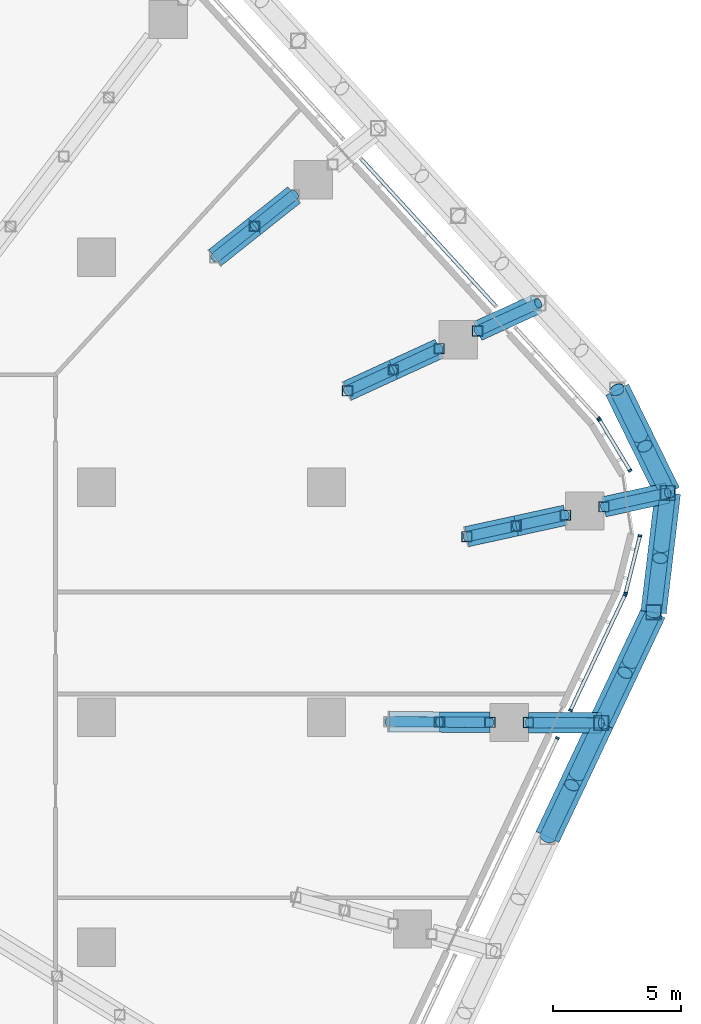
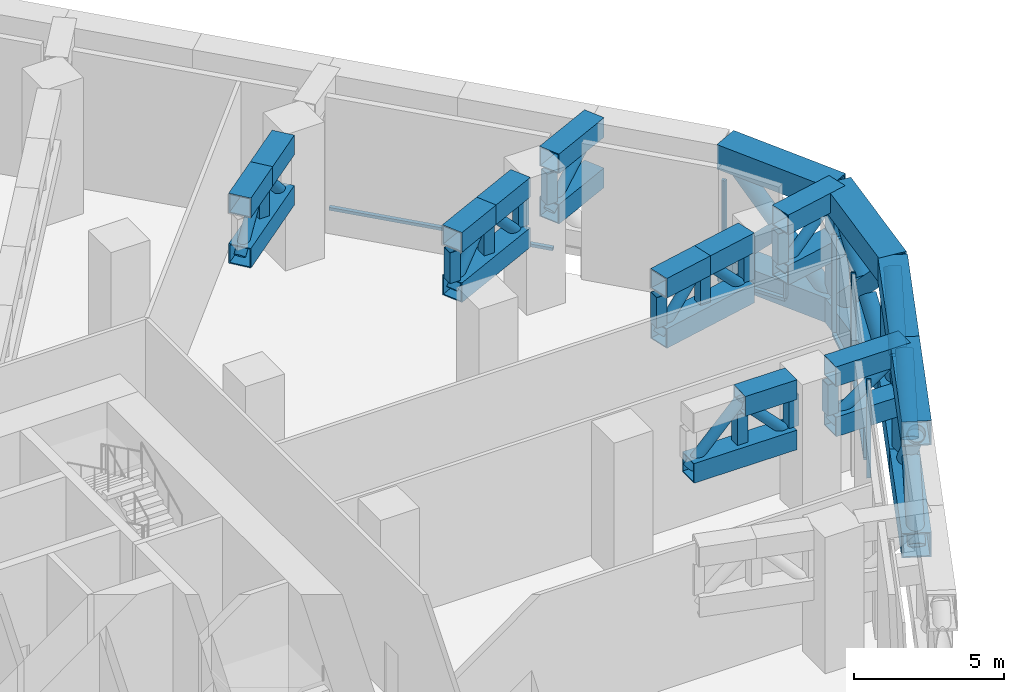
# One storey, part 11 of 38: 75 members, 3 elements without a shape of their own.
"""IFC4 building model written with IfcOpenShell, lengths in metres."""

from ifc_helpers import new_model, si_unit, direction, frame, origin, origin_2d, place, context, subcontext, project, spatial, rectangle, hollow_rectangle, hollow_circle, extrude, material, layer, layer_set, material_profile, profile_set, type_object, element, aggregate, save


model = new_model("IFC4")

# Units and contexts
model_context = context("Model", 3, precision=1e-05, world=origin(), true_north=direction((0.0, 1.0)))
body_context = subcontext(model_context, "Body", "Model", "MODEL_VIEW")
ifc_project = project(units=[si_unit("LENGTHUNIT", "METRE"), si_unit("AREAUNIT", "SQUARE_METRE"), si_unit("VOLUMEUNIT", "CUBIC_METRE"), si_unit("PLANEANGLEUNIT", "RADIAN"), si_unit("MASSUNIT", "GRAM", prefix="KILO")], contexts=[model_context])

# Site, building, storey
site_placement = place(None, origin())
site = spatial("IfcSite", under=ifc_project, at=site_placement, CompositionType="ELEMENT")
building_placement = place(site_placement, origin())
building = spatial("IfcBuilding", under=site, at=building_placement, Name="Dongbaek Canopy Tower", CompositionType="ELEMENT")
storey_placement = place(building_placement, frame((0.0, 0.0, 89.199951171875)))
storey = spatial("IfcBuildingStorey", under=building, at=storey_placement, Name="L18", CompositionType="ELEMENT", Elevation=89.199951171875)

# Members
ifc_material_1 = material(Name="Steel S355", Category="steel")
ifc_material_profile_1 = material_profile(ifc_material_1, hollow_circle(Radius=0.304931640625, WallThickness=0.01611328125, at=origin_2d()), Name="BELT BRACE CHS 610.0x16.0 Steel S355")
ifc_profile_set_1 = profile_set([ifc_material_profile_1], Name="Steel S355")
member_type_1 = type_object("IfcMemberType", Name="BELT BRACE CHS 610.0x16.0 Steel S355", PredefinedType="BRACE", material=ifc_profile_set_1)
member_1_placement = place(storey_placement, frame((37.748779296875, -0.2265625, 0.5), z_axis=(-0.313938805276, -0.664760236963, 0.677891033939), x_axis=(0.904235910389, -0.427033275474, 0.0)))
element("IfcMember", 1, at=member_1_placement, inside=storey, type_object=member_type_1, Name="BELT:L18:22:D0:0", PredefinedType="BRACE", context=body_context, shape_type="SweptSolid", body=[
    extrude(hollow_circle(Radius=0.304931640625, WallThickness=0.01611328125, at=origin_2d()), origin(), (0.0, 0.0, 1.0), 6.712158203125),
])
for number, where, z_axis, x_axis, name in (
    (2, (35.6416015625, -4.6884765625, 0.5), (0.313931760126, 0.664763709292, 0.67789089151), (-0.904240472065, 0.427023616067, 0.0), "BELT:L18:22:D0:1"),
    (3, (37.748779296875, -0.2265625, 5.050048828125), (-0.313931760126, -0.664763709292, -0.67789089151), (0.904240472065, -0.427023616067, 0.0), "BELT:L18:22:D0:2"),
):
    element("IfcMember", number, at=place(storey_placement, frame(where, z_axis=z_axis, x_axis=x_axis)), inside=storey, type_object=member_type_1, Name=name, PredefinedType="BRACE", context=body_context, shape_type="SweptSolid", body=[
        extrude(hollow_circle(Radius=0.304931640625, WallThickness=0.01611328125, at=origin_2d()), origin(), (0.0, 0.0, 1.0), 3.050048828125),
    ])
member_2_placement = place(storey_placement, frame((38.368896484375, 12.8125, 0.5), z_axis=(0.309691772945, -0.631249277241, 0.71106635116), x_axis=(0.897776860062, 0.440450575589, 0.0)))
element("IfcMember", 4, at=member_2_placement, inside=storey, type_object=member_type_1, Name="BELT:L18:20:D1:0", PredefinedType="BRACE", context=body_context, shape_type="SweptSolid", body=[
    extrude(hollow_circle(Radius=0.304931640625, WallThickness=0.01611328125, at=origin_2d()), origin(), (0.0, 0.0, 1.0), 6.39892578125),
])
for number, where, z_axis, x_axis, name in (
    (5, (40.3505859375, 8.773193359375, 0.5), (-0.309723205115, 0.631255029162, 0.711047554227), (-0.897760769934, -0.440483370818, 0.0), "BELT:L18:20:D1:1"),
    (6, (38.368896484375, 12.8125, 5.050048828125), (0.309723205115, -0.631255029162, -0.711047554227), (0.897760769934, 0.440483370818, 0.0), "BELT:L18:20:D1:2"),
):
    element("IfcMember", number, at=place(storey_placement, frame(where, z_axis=z_axis, x_axis=x_axis)), inside=storey, type_object=member_type_1, Name=name, PredefinedType="BRACE", context=body_context, shape_type="SweptSolid", body=[
        extrude(hollow_circle(Radius=0.304931640625, WallThickness=0.01611328125, at=origin_2d()), origin(), (0.0, 0.0, 1.0), 2.89453125),
    ])
member_3_placement = place(storey_placement, frame((40.3505859375, 8.773193359375, 0.5), z_axis=(-0.0850407179, -0.713536027946, 0.695438288507), x_axis=(0.992972591195, -0.118344552627, 0.0)))
element("IfcMember", 7, at=member_3_placement, inside=storey, type_object=member_type_1, Name="BELT:L18:21:D0:0", PredefinedType="BRACE", context=body_context, shape_type="SweptSolid", body=[
    extrude(hollow_circle(Radius=0.304931640625, WallThickness=0.01611328125, at=origin_2d()), origin(), (0.0, 0.0, 1.0), 6.542724609375),
])
for number, where, z_axis, x_axis, name in (
    (8, (39.794189453125, 4.104736328125, 0.5), (0.085107545422, 0.71353705151, 0.695429063122), (-0.992961678519, 0.118436079777, 0.0), "BELT:L18:21:D0:1"),
    (9, (40.3505859375, 8.773193359375, 5.050048828125), (-0.085025831714, -0.713542047558, -0.695433932382), (0.992975142664, -0.118323142505, 0.0), "BELT:L18:21:D0:2"),
):
    element("IfcMember", number, at=place(storey_placement, frame(where, z_axis=z_axis, x_axis=x_axis)), inside=storey, type_object=member_type_1, Name=name, PredefinedType="BRACE", context=body_context, shape_type="SweptSolid", body=[
        extrude(hollow_circle(Radius=0.304931640625, WallThickness=0.01611328125, at=origin_2d()), origin(), (0.0, 0.0, 1.0), 2.966064453125),
    ])
member_4_placement = place(storey_placement, frame((39.794189453125, 4.104736328125, 0.5), z_axis=(-0.309602330243, -0.6556045525, 0.688715520261), x_axis=(0.904242633268, -0.427019039599, 0.0)))
element("IfcMember", 10, at=member_4_placement, inside=storey, type_object=member_type_1, Name="BELT:L18:21:D1:0", PredefinedType="BRACE", context=body_context, shape_type="SweptSolid", body=[
    extrude(hollow_circle(Radius=0.304931640625, WallThickness=0.01611328125, at=origin_2d()), origin(), (0.0, 0.0, 1.0), 6.606689453125),
])
for number, where, z_axis, x_axis, name in (
    (11, (37.748779296875, -0.2265625, 0.5), (0.309629496795, 0.655580602103, 0.688726105837), (-0.904222140383, 0.427062432017, 0.0), "BELT:L18:21:D1:1"),
    (12, (39.794189453125, 4.104736328125, 5.050048828125), (-0.309555862977, -0.655597131536, -0.688743470981), (0.904265513426, -0.426970585905, 0.0), "BELT:L18:21:D1:2"),
):
    element("IfcMember", number, at=place(storey_placement, frame(where, z_axis=z_axis, x_axis=x_axis)), inside=storey, type_object=member_type_1, Name=name, PredefinedType="BRACE", context=body_context, shape_type="SweptSolid", body=[
        extrude(hollow_circle(Radius=0.304931640625, WallThickness=0.01611328125, at=origin_2d()), origin(), (0.0, 0.0, 1.0), 2.997802734375),
    ])
ifc_material_2 = material(Name="Steel S355", Category="steel")
ifc_material_profile_2 = material_profile(ifc_material_2, hollow_rectangle(XDim=1.0, YDim=1.0, WallThickness=0.050048828125, at=origin_2d()), Name="BELT CHORD BOX 1000x1000x50 Steel S355")
ifc_profile_set_2 = profile_set([ifc_material_profile_2], Name="Steel S355")
member_type_2 = type_object("IfcMemberType", Name="BELT CHORD BOX 1000x1000x50 Steel S355", PredefinedType="CHORD", material=ifc_profile_set_2)
for number, where, z_axis, x_axis, name in (
    (13, (37.748779296875, -0.2265625, 0.5), (-0.427033275474, -0.904235910389, 0.0), (0.904235910389, -0.427033275474, 0.0), "BELT:L18:22:CB0"),
    (14, (37.748779296875, -0.2265625, 5.050048828125), (-0.427033275474, -0.904235910389, 0.0), (0.904235910389, -0.427033275474, 0.0), "BELT:L18:22:CT0"),
):
    element("IfcMember", number, at=place(storey_placement, frame(where, z_axis=z_axis, x_axis=x_axis)), inside=storey, type_object=member_type_2, Name=name, PredefinedType="CHORD", context=body_context, shape_type="SweptSolid", body=[
        extrude(hollow_rectangle(XDim=1.0, YDim=1.0, WallThickness=0.050048828125, at=origin_2d()), origin(), (0.0, 0.0, 1.0), 4.9345703125),
    ])
for number, where, z_axis, x_axis, name in (
    (15, (38.368896484375, 12.8125, 0.5), (0.440450575589, -0.897776860062, 0.0), (0.897776860062, 0.440450575589, 0.0), "BELT:L18:20:CB1"),
    (16, (38.368896484375, 12.8125, 5.050048828125), (0.440450575589, -0.897776860062, 0.0), (0.897776860062, 0.440450575589, 0.0), "BELT:L18:20:CT1"),
):
    element("IfcMember", number, at=place(storey_placement, frame(where, z_axis=z_axis, x_axis=x_axis)), inside=storey, type_object=member_type_2, Name=name, PredefinedType="CHORD", context=body_context, shape_type="SweptSolid", body=[
        extrude(hollow_rectangle(XDim=1.0, YDim=1.0, WallThickness=0.050048828125, at=origin_2d()), origin(), (0.0, 0.0, 1.0), 4.499267578125),
    ])
for number, where, z_axis, x_axis, name in (
    (17, (40.3505859375, 8.773193359375, 0.5), (-0.118344552627, -0.992972591195, 0.0), (0.992972591195, -0.118344552627, 0.0), "BELT:L18:21:CB0"),
    (18, (40.3505859375, 8.773193359375, 5.050048828125), (-0.118344552627, -0.992972591195, 0.0), (0.992972591195, -0.118344552627, 0.0), "BELT:L18:21:CT0"),
):
    element("IfcMember", number, at=place(storey_placement, frame(where, z_axis=z_axis, x_axis=x_axis)), inside=storey, type_object=member_type_2, Name=name, PredefinedType="CHORD", context=body_context, shape_type="SweptSolid", body=[
        extrude(hollow_rectangle(XDim=1.0, YDim=1.0, WallThickness=0.050048828125, at=origin_2d()), origin(), (0.0, 0.0, 1.0), 4.701416015625),
    ])
for number, where, z_axis, x_axis, name in (
    (19, (39.794189453125, 4.104736328125, 0.5), (-0.427019039599, -0.904242633268, 0.0), (0.904242633268, -0.427019039599, 0.0), "BELT:L18:21:CB1"),
    (20, (39.794189453125, 4.104736328125, 5.050048828125), (-0.427019039599, -0.904242633268, 0.0), (0.904242633268, -0.427019039599, 0.0), "BELT:L18:21:CT1"),
):
    element("IfcMember", number, at=place(storey_placement, frame(where, z_axis=z_axis, x_axis=x_axis)), inside=storey, type_object=member_type_2, Name=name, PredefinedType="CHORD", context=body_context, shape_type="SweptSolid", body=[
        extrude(hollow_rectangle(XDim=1.0, YDim=1.0, WallThickness=0.050048828125, at=origin_2d()), origin(), (0.0, 0.0, 1.0), 4.7900390625),
    ])
ifc_material_3 = material(Name="Steel S355", Category="steel")
ifc_material_profile_3 = material_profile(ifc_material_3, hollow_rectangle(XDim=0.60009765625, YDim=0.60009765625, WallThickness=0.031982421875, at=origin_2d()), Name="BELT POST BOX 600x600x32 Steel S355")
ifc_profile_set_3 = profile_set([ifc_material_profile_3], Name="Steel S355")
member_type_3 = type_object("IfcMemberType", Name="BELT POST BOX 600x600x32 Steel S355", PredefinedType="POST", material=ifc_profile_set_3)
for number, where, z_axis, x_axis, name in (
    (21, (37.748779296875, -0.2265625, 1.0), (0.0, 0.0, 1.0), (1.0, 0.0, 0.0), "BELT:L18:22:P0"),
    (22, (40.3505859375, 8.773193359375, 1.0), (0.0, 0.0, 1.0), (1.0, 0.0, 0.0), "BELT:L18:21:P0"),
    (23, (39.794189453125, 4.104736328125, 1.0), (0.0, 0.0, 1.0), (1.0, 0.0, 0.0), "BELT:L18:21:P1"),
):
    element("IfcMember", number, at=place(storey_placement, frame(where, z_axis=z_axis, x_axis=x_axis)), inside=storey, type_object=member_type_3, Name=name, PredefinedType="POST", context=body_context, shape_type="SweptSolid", body=[
        extrude(hollow_rectangle(XDim=0.60009765625, YDim=0.60009765625, WallThickness=0.031982421875, at=origin_2d()), origin(), (0.0, 0.0, 1.0), 3.550048828125),
    ])
ifc_material_4 = material(Name="Steel S355", Category="steel")
ifc_material_profile_4 = material_profile(ifc_material_4, hollow_circle(Radius=0.203125, WallThickness=0.0126953125, at=origin_2d()), Name="BRACE CHS 406.4x12.7 Steel S355")
ifc_profile_set_4 = profile_set([ifc_material_profile_4], Name="Steel S355")
member_type_4 = type_object("IfcMemberType", Name="BRACE CHS 406.4x12.7 Steel S355", PredefinedType="BRACE", material=ifc_profile_set_4)
member_5_placement = place(storey_placement, frame((22.638671875, 17.97705078125, 3.10009765625), z_axis=(0.543336172723, 0.431409778816, 0.720188451832), x_axis=(-0.621826396664, 0.78315511389, 0.0)))
element("IfcMember", 24, at=member_5_placement, inside=storey, type_object=member_type_4, Name="TRUSS:L18:19:D0", PredefinedType="BRACE", context=body_context, shape_type="SweptSolid", body=[
    extrude(hollow_circle(Radius=0.203125, WallThickness=0.0126953125, at=origin_2d()), origin(), (0.0, 0.0, 1.0), 2.846435546875),
])
for number, where, z_axis, x_axis, name in (
    (25, (24.185302734375, 19.205078125, 5.150146484375), (0.543316067927, 0.431479579754, -0.72016180306), (-0.621902210185, 0.783094911851, 0.0), "TRUSS:L18:19:D1"),
    (26, (27.818115234375, 12.768798828125, 3.10009765625), (0.630539760564, 0.289454800313, 0.720163543179), (-0.417199462381, 0.908814947384, 0.0), "TRUSS:L18:20:D0"),
    (27, (29.613037109375, 13.5927734375, 5.150146484375), (0.630539760564, 0.289454800313, -0.720163543179), (-0.417199462381, 0.908814947384, 0.0), "TRUSS:L18:20:D1"),
    (28, (32.48828125, 7.063720703125, 3.10009765625), (0.67796383276, 0.1474281883, 0.720159684211), (-0.21249122742, 0.977162974262, 0.0), "TRUSS:L18:21:D0"),
):
    element("IfcMember", number, at=place(storey_placement, frame(where, z_axis=z_axis, x_axis=x_axis)), inside=storey, type_object=member_type_4, Name=name, PredefinedType="BRACE", context=body_context, shape_type="SweptSolid", body=[
        extrude(hollow_circle(Radius=0.203125, WallThickness=0.0126953125, at=origin_2d()), origin(), (0.0, 0.0, 1.0), 2.8466796875),
    ])
for number, where, z_axis, x_axis, name in (
    (29, (34.418212890625, 7.4833984375, 5.150146484375), (0.677926055159, 0.147352854601, -0.72021066361), (-0.212398847941, 0.977183058282, 0.0), "TRUSS:L18:21:D1"),
    (30, (29.443115234375, -0.1767578125, 3.10009765625), (0.69376905315, -0.004202581729, 0.720185281159), (0.006057497961, 0.999981653191, 0.0), "TRUSS:L18:22:D0"),
):
    element("IfcMember", number, at=place(storey_placement, frame(where, z_axis=z_axis, x_axis=x_axis)), inside=storey, type_object=member_type_4, Name=name, PredefinedType="BRACE", context=body_context, shape_type="SweptSolid", body=[
        extrude(hollow_circle(Radius=0.203125, WallThickness=0.0126953125, at=origin_2d()), origin(), (0.0, 0.0, 1.0), 2.846435546875),
    ])
member_6_placement = place(storey_placement, frame((31.41796875, -0.188720703125, 5.150146484375), z_axis=(0.693813782678, -0.004116571269, -0.720142686422), x_axis=(0.005933146494, 0.999982398731, 0.0)))
element("IfcMember", 31, at=member_6_placement, inside=storey, type_object=member_type_4, Name="TRUSS:L18:22:D1", PredefinedType="BRACE", context=body_context, shape_type="SweptSolid", body=[
    extrude(hollow_circle(Radius=0.203125, WallThickness=0.0126953125, at=origin_2d()), origin(), (0.0, 0.0, 1.0), 2.8466796875),
])
member_7_placement = place(storey_placement, frame((32.907958984375, 15.105224609375, 3.10009765625), z_axis=(0.714589116612, 0.327970723174, 0.617897725486), x_axis=(-0.417128375205, 0.908847577209, 0.0)))
element("IfcMember", 32, at=member_7_placement, inside=storey, type_object=member_type_4, Name="TRUSS:L18:20x:D0", PredefinedType="BRACE", context=body_context, shape_type="SweptSolid", body=[
    extrude(hollow_circle(Radius=0.203125, WallThickness=0.0126953125, at=origin_2d()), origin(), (0.0, 0.0, 1.0), 3.31787109375),
])
member_8_placement = place(storey_placement, frame((37.847900390625, 8.22900390625, 3.10009765625), z_axis=(0.762876429082, 0.165881529648, 0.624902290021), x_axis=(-0.212477134001, 0.977166038873, 0.0)))
element("IfcMember", 33, at=member_8_placement, inside=storey, type_object=member_type_4, Name="TRUSS:L18:21x:D0", PredefinedType="BRACE", context=body_context, shape_type="SweptSolid", body=[
    extrude(hollow_circle(Radius=0.203125, WallThickness=0.0126953125, at=origin_2d()), origin(), (0.0, 0.0, 1.0), 3.280517578125),
])
member_9_placement = place(storey_placement, frame((34.89306640625, -0.20947265625, 3.10009765625), z_axis=(0.81234197341, -0.004861412169, 0.583161114023), x_axis=(0.005984333296, 0.999982093717, 0.0)))
element("IfcMember", 34, at=member_9_placement, inside=storey, type_object=member_type_4, Name="TRUSS:L18:22x:D0", PredefinedType="BRACE", context=body_context, shape_type="SweptSolid", body=[
    extrude(hollow_circle(Radius=0.203125, WallThickness=0.0126953125, at=origin_2d()), origin(), (0.0, 0.0, 1.0), 3.515380859375),
])
ifc_material_5 = material(Name="Steel S355", Category="steel")
ifc_material_profile_5 = material_profile(ifc_material_5, hollow_rectangle(XDim=0.800048828125, YDim=0.800048828125, WallThickness=0.0400390625, at=origin_2d()), Name="CHORD BOX 800x800x40 Steel S355")
ifc_profile_set_5 = profile_set([ifc_material_profile_5], Name="Steel S355")
member_type_5 = type_object("IfcMemberType", Name="CHORD BOX 800x800x40 Steel S355", PredefinedType="CHORD", material=ifc_profile_set_5)
member_10_placement = place(storey_placement, frame((22.638671875, 17.97705078125, 3.10009765625), z_axis=(0.783125012631, 0.62186430561, 0.0), x_axis=(-0.62186430561, 0.783125012631, 0.0)))
element("IfcMember", 35, at=member_10_placement, inside=storey, type_object=member_type_5, Name="TRUSS:L18:19:CB", PredefinedType="CHORD", context=body_context, shape_type="SweptSolid", body=[
    extrude(hollow_rectangle(XDim=0.800048828125, YDim=0.800048828125, WallThickness=0.0400390625, at=origin_2d()), origin(), (0.0, 0.0, 1.0), 3.949951171875),
])
member_11_placement = place(storey_placement, frame((22.638671875, 17.97705078125, 5.150146484375), z_axis=(0.78315511389, 0.621826396664, 0.0), x_axis=(-0.621826396664, 0.78315511389, 0.0)))
element("IfcMember", 36, at=member_11_placement, inside=storey, type_object=member_type_5, Name="TRUSS:L18:19:CT0", PredefinedType="CHORD", context=body_context, shape_type="SweptSolid", body=[
    extrude(hollow_rectangle(XDim=0.800048828125, YDim=0.800048828125, WallThickness=0.0400390625, at=origin_2d()), origin(), (0.0, 0.0, 1.0), 1.974853515625),
])
member_12_placement = place(storey_placement, frame((24.185302734375, 19.205078125, 5.150146484375), z_axis=(0.783094911851, 0.621902210185, 0.0), x_axis=(-0.621902210185, 0.783094911851, 0.0)))
element("IfcMember", 37, at=member_12_placement, inside=storey, type_object=member_type_5, Name="TRUSS:L18:19:CT1", PredefinedType="CHORD", context=body_context, shape_type="SweptSolid", body=[
    extrude(hollow_rectangle(XDim=0.800048828125, YDim=0.800048828125, WallThickness=0.0400390625, at=origin_2d()), origin(), (0.0, 0.0, 1.0), 1.97509765625),
])
member_13_placement = place(storey_placement, frame((27.818115234375, 12.768798828125, 3.10009765625), z_axis=(0.908814947384, 0.417199462381, 0.0), x_axis=(-0.417199462381, 0.908814947384, 0.0)))
element("IfcMember", 38, at=member_13_placement, inside=storey, type_object=member_type_5, Name="TRUSS:L18:20:CB", PredefinedType="CHORD", context=body_context, shape_type="SweptSolid", body=[
    extrude(hollow_rectangle(XDim=0.800048828125, YDim=0.800048828125, WallThickness=0.0400390625, at=origin_2d()), origin(), (0.0, 0.0, 1.0), 3.949951171875),
])
for number, where, z_axis, x_axis, name in (
    (39, (27.818115234375, 12.768798828125, 5.150146484375), (0.908814947384, 0.417199462381, 0.0), (-0.417199462381, 0.908814947384, 0.0), "TRUSS:L18:20:CT0"),
    (40, (29.613037109375, 13.5927734375, 5.150146484375), (0.908814947384, 0.417199462381, 0.0), (-0.417199462381, 0.908814947384, 0.0), "TRUSS:L18:20:CT1"),
):
    element("IfcMember", number, at=place(storey_placement, frame(where, z_axis=z_axis, x_axis=x_axis)), inside=storey, type_object=member_type_5, Name=name, PredefinedType="CHORD", context=body_context, shape_type="SweptSolid", body=[
        extrude(hollow_rectangle(XDim=0.800048828125, YDim=0.800048828125, WallThickness=0.0400390625, at=origin_2d()), origin(), (0.0, 0.0, 1.0), 1.97509765625),
    ])
member_14_placement = place(storey_placement, frame((32.48828125, 7.063720703125, 3.10009765625), z_axis=(0.977173016625, 0.212445041315, 0.0), x_axis=(-0.212445041315, 0.977173016625, 0.0)))
element("IfcMember", 41, at=member_14_placement, inside=storey, type_object=member_type_5, Name="TRUSS:L18:21:CB", PredefinedType="CHORD", context=body_context, shape_type="SweptSolid", body=[
    extrude(hollow_rectangle(XDim=0.800048828125, YDim=0.800048828125, WallThickness=0.0400390625, at=origin_2d()), origin(), (0.0, 0.0, 1.0), 3.94970703125),
])
member_15_placement = place(storey_placement, frame((32.48828125, 7.063720703125, 5.150146484375), z_axis=(0.977162974262, 0.21249122742, 0.0), x_axis=(-0.21249122742, 0.977162974262, 0.0)))
element("IfcMember", 42, at=member_15_placement, inside=storey, type_object=member_type_5, Name="TRUSS:L18:21:CT0", PredefinedType="CHORD", context=body_context, shape_type="SweptSolid", body=[
    extrude(hollow_rectangle(XDim=0.800048828125, YDim=0.800048828125, WallThickness=0.0400390625, at=origin_2d()), origin(), (0.0, 0.0, 1.0), 1.97509765625),
])
member_16_placement = place(storey_placement, frame((34.418212890625, 7.4833984375, 5.150146484375), z_axis=(0.977183058282, 0.212398847941, 0.0), x_axis=(-0.212398847941, 0.977183058282, 0.0)))
element("IfcMember", 43, at=member_16_placement, inside=storey, type_object=member_type_5, Name="TRUSS:L18:21:CT1", PredefinedType="CHORD", context=body_context, shape_type="SweptSolid", body=[
    extrude(hollow_rectangle(XDim=0.800048828125, YDim=0.800048828125, WallThickness=0.0400390625, at=origin_2d()), origin(), (0.0, 0.0, 1.0), 1.974853515625),
])
member_17_placement = place(storey_placement, frame((29.443115234375, -0.1767578125, 3.10009765625), z_axis=(0.999982027917, -0.005995318419, 0.0), x_axis=(0.005995318419, 0.999982027917, 0.0)))
element("IfcMember", 44, at=member_17_placement, inside=storey, type_object=member_type_5, Name="TRUSS:L18:22:CB", PredefinedType="CHORD", context=body_context, shape_type="SweptSolid", body=[
    extrude(hollow_rectangle(XDim=0.800048828125, YDim=0.800048828125, WallThickness=0.0400390625, at=origin_2d()), origin(), (0.0, 0.0, 1.0), 3.949951171875),
])
member_18_placement = place(storey_placement, frame((31.41796875, -0.188720703125, 5.150146484375), z_axis=(0.999982398731, -0.005933146494, 0.0), x_axis=(0.005933146494, 0.999982398731, 0.0)))
element("IfcMember", 45, at=member_18_placement, inside=storey, type_object=member_type_5, Name="TRUSS:L18:22:CT1", PredefinedType="CHORD", context=body_context, shape_type="SweptSolid", body=[
    extrude(hollow_rectangle(XDim=0.800048828125, YDim=0.800048828125, WallThickness=0.0400390625, at=origin_2d()), origin(), (0.0, 0.0, 1.0), 1.97509765625),
])
for number, where, z_axis, x_axis, name in (
    (46, (32.907958984375, 15.105224609375, 3.10009765625), (0.908847577209, 0.417128375205, 0.0), (-0.417128375205, 0.908847577209, 0.0), "TRUSS:L18:20x:CB"),
    (47, (32.907958984375, 15.105224609375, 5.150146484375), (0.908847577209, 0.417128375205, 0.0), (-0.417128375205, 0.908847577209, 0.0), "TRUSS:L18:20x:CT0"),
):
    element("IfcMember", number, at=place(storey_placement, frame(where, z_axis=z_axis, x_axis=x_axis)), inside=storey, type_object=member_type_5, Name=name, PredefinedType="CHORD", context=body_context, shape_type="SweptSolid", body=[
        extrude(hollow_rectangle(XDim=0.800048828125, YDim=0.800048828125, WallThickness=0.0400390625, at=origin_2d()), origin(), (0.0, 0.0, 1.0), 2.608642578125),
    ])
for number, where, z_axis, x_axis, name in (
    (48, (37.847900390625, 8.22900390625, 3.10009765625), (0.977166038873, 0.212477134001, 0.0), (-0.212477134001, 0.977166038873, 0.0), "TRUSS:L18:21x:CB"),
    (49, (37.847900390625, 8.22900390625, 5.150146484375), (0.977166038873, 0.212477134001, 0.0), (-0.212477134001, 0.977166038873, 0.0), "TRUSS:L18:21x:CT0"),
):
    element("IfcMember", number, at=place(storey_placement, frame(where, z_axis=z_axis, x_axis=x_axis)), inside=storey, type_object=member_type_5, Name=name, PredefinedType="CHORD", context=body_context, shape_type="SweptSolid", body=[
        extrude(hollow_rectangle(XDim=0.800048828125, YDim=0.800048828125, WallThickness=0.0400390625, at=origin_2d()), origin(), (0.0, 0.0, 1.0), 2.561279296875),
    ])
for number, where, z_axis, x_axis, name in (
    (50, (34.89306640625, -0.20947265625, 3.10009765625), (0.999982093717, -0.005984333296, 0.0), (0.005984333296, 0.999982093717, 0.0), "TRUSS:L18:22x:CB"),
    (51, (34.89306640625, -0.20947265625, 5.150146484375), (0.999982093717, -0.005984333296, 0.0), (0.005984333296, 0.999982093717, 0.0), "TRUSS:L18:22x:CT0"),
):
    element("IfcMember", number, at=place(storey_placement, frame(where, z_axis=z_axis, x_axis=x_axis)), inside=storey, type_object=member_type_5, Name=name, PredefinedType="CHORD", context=body_context, shape_type="SweptSolid", body=[
        extrude(hollow_rectangle(XDim=0.800048828125, YDim=0.800048828125, WallThickness=0.0400390625, at=origin_2d()), origin(), (0.0, 0.0, 1.0), 2.855712890625),
    ])

# Curtain wall, members
ifc_material_6 = material(Name="Aluminium 6063-T6 pale anodised", Category="aluminium")
ifc_layer = layer(ifc_material_6, 0.14990234375)
ifc_layer_set = layer_set([ifc_layer], Name="CW-7 louvre curtain wall")
curtain_wall_type = type_object("IfcCurtainWallType", Name="CW-7 louvre curtain wall", PredefinedType="NOTDEFINED", material=ifc_layer_set)
curtain_wall_1_placement = place(storey_placement, origin())
curtain_wall_1 = element("IfcCurtainWall", 52, at=curtain_wall_1_placement, inside=storey, type_object=curtain_wall_type, Name="CW-7 louvre wall L18 K0", PredefinedType="NOTDEFINED")
ifc_material_7 = material(Name="Aluminium 6063-T6 pale anodised", Category="aluminium")
ifc_material_profile_6 = material_profile(ifc_material_7, rectangle(XDim=0.14990234375, YDim=0.080078125, at=origin_2d()), Name="CW-7 mullion 80 x 150")
ifc_profile_set_6 = profile_set([ifc_material_profile_6], Name="Aluminium 6063-T6 pale anodised")
member_type_6 = type_object("IfcMemberType", Name="CW-7 mullion 80 x 150", PredefinedType="MULLION", material=ifc_profile_set_6)
member_19_placement = place(storey_placement, frame((38.70068359375, 4.84912109375, 0.775146484375), z_axis=(0.0, 0.0, 1.0), x_axis=(0.970315252117, -0.241843568261, 0.0)))
member_19 = element("IfcMember", 53, at=member_19_placement, type_object=member_type_6, Name="CW-7 mullion L18 K0.1.1", PredefinedType="MULLION", context=body_context, shape_type="SweptSolid", body=[
    extrude(rectangle(XDim=0.14990234375, YDim=0.080078125, at=origin_2d()), origin(), (0.0, 0.0, 1.0), 4.0),
])
member_20_placement = place(storey_placement, frame((39.261474609375, 7.0986328125, 0.775146484375), z_axis=(0.0, 0.0, 1.0), x_axis=(0.970315252117, -0.241843568261, 0.0)))
member_20 = element("IfcMember", 54, at=member_20_placement, type_object=member_type_6, Name="CW-7 mullion L18 K0.1.2", PredefinedType="MULLION", context=body_context, shape_type="SweptSolid", body=[
    extrude(rectangle(XDim=0.14990234375, YDim=0.080078125, at=origin_2d()), origin(), (0.0, 0.0, 1.0), 4.0),
])
member_21_placement = place(storey_placement, frame((38.877197265625, 9.646728515625, 0.775146484375), z_axis=(0.0, 0.0, 1.0), x_axis=(0.85588551295, 0.51716533983, 0.0)))
member_21 = element("IfcMember", 55, at=member_21_placement, type_object=member_type_6, Name="CW-7 mullion L18 K0.2.1", PredefinedType="MULLION", context=body_context, shape_type="SweptSolid", body=[
    extrude(rectangle(XDim=0.14990234375, YDim=0.080078125, at=origin_2d()), origin(), (0.0, 0.0, 1.0), 4.0),
])
member_22_placement = place(storey_placement, frame((37.67822265625, 11.631103515625, 0.775146484375), z_axis=(0.0, 0.0, 1.0), x_axis=(0.85588551295, 0.51716533983, 0.0)))
member_22 = element("IfcMember", 56, at=member_22_placement, type_object=member_type_6, Name="CW-7 mullion L18 K0.2.2", PredefinedType="MULLION", context=body_context, shape_type="SweptSolid", body=[
    extrude(rectangle(XDim=0.14990234375, YDim=0.080078125, at=origin_2d()), origin(), (0.0, 0.0, 1.0), 4.0),
])

# Curtain wall, member
curtain_wall_2_placement = place(storey_placement, origin())
curtain_wall_2 = element("IfcCurtainWall", 57, at=curtain_wall_2_placement, inside=storey, type_object=curtain_wall_type, Name="CW-7 louvre wall L18 F0", PredefinedType="NOTDEFINED")
member_23_placement = place(storey_placement, frame((37.636962890625, 11.68603515625, 0.775146484375), z_axis=(0.0, 0.0, 1.0), x_axis=(0.738140821352, 0.674646668897, 0.0)))
member_23 = element("IfcMember", 58, at=member_23_placement, type_object=member_type_6, Name="CW-7 mullion L18 F0.1.1", PredefinedType="MULLION", context=body_context, shape_type="SweptSolid", body=[
    extrude(rectangle(XDim=0.14990234375, YDim=0.080078125, at=origin_2d()), origin(), (0.0, 0.0, 1.0), 4.0),
])

# Curtain wall, members
curtain_wall_3_placement = place(storey_placement, origin())
curtain_wall_3 = element("IfcCurtainWall", 59, at=curtain_wall_3_placement, inside=storey, type_object=curtain_wall_type, Name="CW-7 louvre wall L18 F5", PredefinedType="NOTDEFINED")
member_24_placement = place(storey_placement, frame((36.031982421875, -0.817626953125, 0.775146484375), z_axis=(0.0, 0.0, 1.0), x_axis=(0.904233210436, -0.427038992534, 0.0)))
member_24 = element("IfcMember", 60, at=member_24_placement, type_object=member_type_6, Name="CW-7 mullion L18 F5.4.2", PredefinedType="MULLION", context=body_context, shape_type="SweptSolid", body=[
    extrude(rectangle(XDim=0.14990234375, YDim=0.080078125, at=origin_2d()), origin(), (0.0, 0.0, 1.0), 4.0),
])
member_25_placement = place(storey_placement, frame((36.54345703125, 0.26513671875, 0.775146484375), z_axis=(0.0, 0.0, 1.0), x_axis=(0.904233210436, -0.427038992534, 0.0)))
member_25 = element("IfcMember", 61, at=member_25_placement, type_object=member_type_6, Name="CW-7 mullion L18 F5.5.1", PredefinedType="MULLION", context=body_context, shape_type="SweptSolid", body=[
    extrude(rectangle(XDim=0.14990234375, YDim=0.080078125, at=origin_2d()), origin(), (0.0, 0.0, 1.0), 4.0),
])
member_26_placement = place(storey_placement, frame((38.677490234375, 4.784423828125, 0.775146484375), z_axis=(0.0, 0.0, 1.0), x_axis=(0.904233210436, -0.427038992534, 0.0)))
member_26 = element("IfcMember", 62, at=member_26_placement, type_object=member_type_6, Name="CW-7 mullion L18 F5.5.2", PredefinedType="MULLION", context=body_context, shape_type="SweptSolid", body=[
    extrude(rectangle(XDim=0.14990234375, YDim=0.080078125, at=origin_2d()), origin(), (0.0, 0.0, 1.0), 4.0),
])

# Member
ifc_material_8 = material(Name="Aluminium 6063-T6 pale anodised", Category="aluminium")
ifc_material_profile_7 = material_profile(ifc_material_8, rectangle(XDim=0.14990234375, YDim=0.1201171875, at=origin_2d()), Name="CW-7 transom 120 x 150")
ifc_profile_set_7 = profile_set([ifc_material_profile_7], Name="Aluminium 6063-T6 pale anodised")
member_type_7 = type_object("IfcMemberType", Name="CW-7 transom 120 x 150", PredefinedType="USERDEFINED", material=ifc_profile_set_7)
member_27_placement = place(storey_placement, frame((38.70068359375, 4.84912109375, 0.715087890625), z_axis=(0.241891337416, 0.970303344776, 0.0), x_axis=(-0.970303344776, 0.241891337416, 0.0)))
member_27 = element("IfcMember", 63, at=member_27_placement, type_object=member_type_7, Name="CW-7 transom L18 K0.1", ObjectType="TRANSOM", PredefinedType="USERDEFINED", context=body_context, shape_type="SweptSolid", body=[
    extrude(rectangle(XDim=0.14990234375, YDim=0.1201171875, at=origin_2d()), origin(), (0.0, 0.0, 1.0), 2.318359375),
])

member_28_placement = place(storey_placement, frame((38.877197265625, 9.646728515625, 0.715087890625), z_axis=(-0.5171413543, 0.855900005651, 0.0), x_axis=(-0.855900005651, -0.5171413543, 0.0)))
member_28 = element("IfcMember", 64, at=member_28_placement, type_object=member_type_7, Name="CW-7 transom L18 K0.2", ObjectType="TRANSOM", PredefinedType="USERDEFINED", context=body_context, shape_type="SweptSolid", body=[
    extrude(rectangle(XDim=0.14990234375, YDim=0.1201171875, at=origin_2d()), origin(), (0.0, 0.0, 1.0), 2.318359375),
])

aggregate(curtain_wall_1, [member_27, member_19, member_20, member_28, member_21, member_22])

member_29_placement = place(storey_placement, frame((33.625244140625, 16.075439453125, 0.715087890625), z_axis=(-0.674647495848, 0.738140065534, 0.0), x_axis=(-0.738140065534, -0.674647495848, 0.0)))
member_29 = element("IfcMember", 65, at=member_29_placement, type_object=member_type_7, Name="CW-7 transom L18 F0.2", ObjectType="TRANSOM", PredefinedType="USERDEFINED", context=body_context, shape_type="SweptSolid", body=[
    extrude(rectangle(XDim=0.14990234375, YDim=0.1201171875, at=origin_2d()), origin(), (0.0, 0.0, 1.0), 7.83642578125),
])

aggregate(curtain_wall_2, [member_23, member_29])

member_30_placement = place(storey_placement, frame((36.54345703125, 0.26513671875, 0.715087890625), z_axis=(0.426994100681, 0.904254409988, 0.0), x_axis=(-0.904254409988, 0.426994100681, 0.0)))
member_30 = element("IfcMember", 66, at=member_30_placement, type_object=member_type_7, Name="CW-7 transom L18 F5.5", ObjectType="TRANSOM", PredefinedType="USERDEFINED", context=body_context, shape_type="SweptSolid", body=[
    extrude(rectangle(XDim=0.14990234375, YDim=0.1201171875, at=origin_2d()), origin(), (0.0, 0.0, 1.0), 4.997802734375),
])

aggregate(curtain_wall_3, [member_24, member_30, member_25, member_26])

# Members
ifc_material_9 = material(Name="Steel S355", Category="steel")
ifc_material_profile_8 = material_profile(ifc_material_9, hollow_rectangle(XDim=0.39990234375, YDim=0.39990234375, WallThickness=0.01611328125, at=origin_2d()), Name="POST SHS 400x400x16 Steel S355")
ifc_profile_set_8 = profile_set([ifc_material_profile_8], Name="Steel S355")
member_type_8 = type_object("IfcMemberType", Name="POST SHS 400x400x16 Steel S355", PredefinedType="POST", material=ifc_profile_set_8)
for number, where, z_axis, x_axis, name in (
    (67, (24.185302734375, 19.205078125, 3.5), (0.0, 0.0, 1.0), (1.0, 0.0, 0.0), "TRUSS:L18:19:P1"),
    (68, (27.818115234375, 12.768798828125, 3.5), (0.0, 0.0, 1.0), (1.0, 0.0, 0.0), "TRUSS:L18:20:P0"),
    (69, (29.613037109375, 13.5927734375, 3.5), (0.0, 0.0, 1.0), (1.0, 0.0, 0.0), "TRUSS:L18:20:P1"),
    (70, (31.407958984375, 14.416748046875, 3.5), (0.0, 0.0, 1.0), (1.0, 0.0, 0.0), "TRUSS:L18:20:P2"),
    (71, (32.48828125, 7.063720703125, 3.5), (0.0, 0.0, 1.0), (1.0, 0.0, 0.0), "TRUSS:L18:21:P0"),
    (72, (34.418212890625, 7.4833984375, 3.5), (0.0, 0.0, 1.0), (1.0, 0.0, 0.0), "TRUSS:L18:21:P1"),
    (73, (36.347900390625, 7.90283203125, 3.5), (0.0, 0.0, 1.0), (1.0, 0.0, 0.0), "TRUSS:L18:21:P2"),
    (74, (31.41796875, -0.188720703125, 3.5), (0.0, 0.0, 1.0), (1.0, 0.0, 0.0), "TRUSS:L18:22:P1"),
    (75, (33.39306640625, -0.200439453125, 3.5), (0.0, 0.0, 1.0), (1.0, 0.0, 0.0), "TRUSS:L18:22:P2"),
    (76, (32.907958984375, 15.105224609375, 3.5), (0.0, 0.0, 1.0), (1.0, 0.0, 0.0), "TRUSS:L18:20x:P0"),
    (77, (37.847900390625, 8.22900390625, 3.5), (0.0, 0.0, 1.0), (1.0, 0.0, 0.0), "TRUSS:L18:21x:P0"),
    (78, (34.89306640625, -0.20947265625, 3.5), (0.0, 0.0, 1.0), (1.0, 0.0, 0.0), "TRUSS:L18:22x:P0"),
):
    element("IfcMember", number, at=place(storey_placement, frame(where, z_axis=z_axis, x_axis=x_axis)), inside=storey, type_object=member_type_8, Name=name, PredefinedType="POST", context=body_context, shape_type="SweptSolid", body=[
        extrude(hollow_rectangle(XDim=0.39990234375, YDim=0.39990234375, WallThickness=0.01611328125, at=origin_2d()), origin(), (0.0, 0.0, 1.0), 1.25),
    ])

save(model, "model.ifc")
